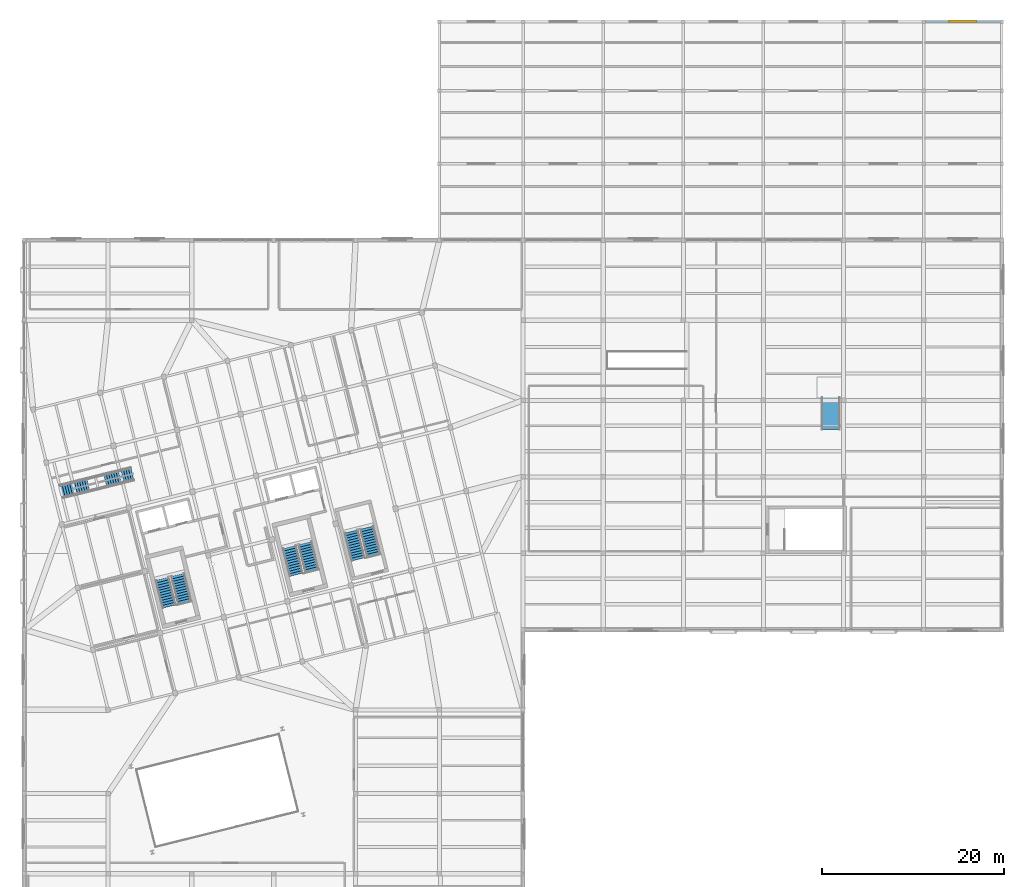
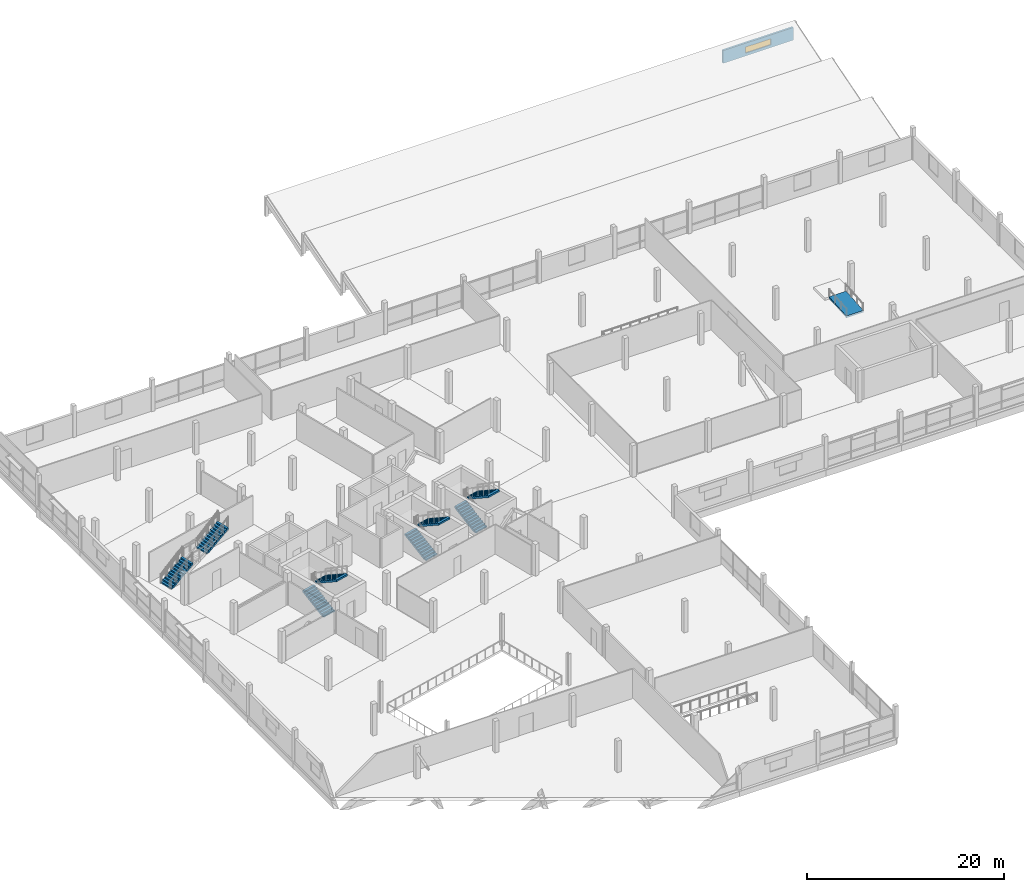
# One storey, part 56 of 62: 8 stair flights, 1 ramp flight, 1 wall, 1 window, 1 opening, 5 elements without a shape of their own.
"""IFC4 building model written with IfcOpenShell, lengths in metres."""

from ifc_helpers import new_model, si_unit, direction, frame, frame_2d, origin, place, context, subcontext, project, spatial, polyline, rectangle, outline, extrude, material, layer, layer_set, type_object, element, fill, aggregate, save


model = new_model("IFC4")

# Units and contexts
model_context = context("Model", 3, precision=1e-05, world=origin(), true_north=direction((0.0, 1.0)))
body_context = subcontext(model_context, "Body", "Model", "MODEL_VIEW")
ifc_project = project(units=[si_unit("LENGTHUNIT", "METRE"), si_unit("AREAUNIT", "SQUARE_METRE"), si_unit("VOLUMEUNIT", "CUBIC_METRE"), si_unit("PLANEANGLEUNIT", "RADIAN"), si_unit("MASSUNIT", "GRAM", prefix="KILO")], contexts=[model_context])

# Site, building, storey
site_placement = place(None, origin())
site = spatial("IfcSite", under=ifc_project, at=site_placement, CompositionType="ELEMENT")
building_placement = place(site_placement, origin())
building = spatial("IfcBuilding", under=site, at=building_placement, Name="Meriwether Solvik Hall", CompositionType="ELEMENT")
storey_placement = place(building_placement, frame((0.0, 0.0, 14.39990234375)))
storey = spatial("IfcBuildingStorey", under=building, at=storey_placement, Name="L03", CompositionType="ELEMENT", Elevation=14.39990234375)

# Wall, opening, window
ifc_material_1 = material(Name="Cross-Laminated Timber and Polyisocyanurate Insulation", Category="wood")
ifc_layer_1 = layer(ifc_material_1, 0.22998046875)
ifc_layer_set_1 = layer_set([ifc_layer_1], Name="Cross-Laminated Timber and Polyisocyanurate Insulation")
wall_type = type_object("IfcWallType", Name="WALL-MON-230", PredefinedType="SOLIDWALL", material=ifc_layer_set_1)
wall_placement = place(storey_placement, frame((166.610107421875, 116.800048828125, 0.175048828125), z_axis=(0.0, 0.0, 1.0), x_axis=(-1.0, 0.0, 0.0)))
wall = element("IfcWall", 1, at=wall_placement, inside=storey, type_object=wall_type, Name="Sawtooth Monitor Clerestory Wall w2_saw_3_b7", PredefinedType="SOLIDWALL", context=body_context, shape_type="SweptSolid", body=[
    extrude(rectangle(XDim=8.22021484375, YDim=0.22998046875, at=frame_2d((4.110107421875, 0.0))), origin(), (0.0, 0.0, 1.0), 1.574462890625),
])
opening_placement = place(wall_placement, frame((2.610107421875, 0.0, 0.35009765625)))
opening = element("IfcOpeningElement", 2, at=opening_placement, cuts=wall, Name="Opening SK-164", PredefinedType="OPENING", context=body_context, shape_type="SweptSolid", body=[
    extrude(rectangle(XDim=3.0, YDim=0.75, at=frame_2d((1.5, 0.375))), frame((0.0, 0.126953125, 0.0), z_axis=(0.0, -1.0, 0.0), x_axis=(1.0, 0.0, 0.0)), (0.0, 0.0, 1.0), 0.25390625),
])
ifc_material_2 = material(Name="Thermally Broken Anodised Aluminium and Triple Low-E Glass", Category="aluminium")
window_type = type_object("IfcWindowType", Name="SKY-MON-300X075", PartitioningType="SINGLE_PANEL", PredefinedType="SKYLIGHT", material=ifc_material_2)
window_placement = place(opening_placement, origin())
window = element("IfcWindow", 3, at=window_placement, inside=storey, type_object=window_type, Name="Sawtooth Northlight Skylight w2_saw_3_b7-1", OverallHeight=0.75, OverallWidth=3.0, PartitioningType="SINGLE_PANEL", PredefinedType="SKYLIGHT", context=body_context, shape_type="SweptSolid", body=[
    extrude(rectangle(XDim=3.0, YDim=0.75, at=frame_2d((1.5, 0.375))), frame((0.0, 0.030029296875, 0.0), z_axis=(0.0, -1.0, 0.0), x_axis=(1.0, 0.0, 0.0)), (0.0, 0.0, 1.0), 0.06005859375),
])
fill(opening, window)

# Stair, stair flights
ifc_material_3 = material(Name="Glulam Douglas-Fir 24F-V8 GL28h", Category="wood")
stair_type_1 = type_object("IfcStairType", Name="STR-OPEN-EDU", PredefinedType="TWO_STRAIGHT_RUN_STAIR", material=ifc_material_3)
stair_1_placement = place(storey_placement, origin())
stair_1 = element("IfcStair", 4, at=stair_1_placement, inside=storey, type_object=stair_type_1, Name="Architectural Stair ST-ED1 (L03-L04)", PredefinedType="TWO_STRAIGHT_RUN_STAIR")
ifc_material_4 = material(Name="Glulam Douglas-Fir 24F-V8 GL28h", Category="wood")
stair_flight_type_1 = type_object("IfcStairFlightType", Name="SFL-GL-155", PredefinedType="STRAIGHT", material=ifc_material_4)
stair_flight_1_placement = place(storey_placement, frame((63.44921875, 65.165771484375, 0.0), z_axis=(0.0, 0.0, 1.0), x_axis=(0.970295726276, 0.2419218956, 0.0)))
stair_flight_1 = element("IfcStairFlight", 5, at=stair_flight_1_placement, type_object=stair_flight_type_1, Name="Stair ST-ED1 Lower Flight", NumberOfRisers=12, NumberOfTreads=11, PredefinedType="STRAIGHT", RiserHeight=0.1625, TreadLength=0.28, context=body_context, shape_type="SweptSolid", body=[
    extrude(outline(polyline([(0.0, 0.0), (0.0, 0.16259765625), (0.280029296875, 0.16259765625), (0.280029296875, 0.324951171875), (0.56005859375, 0.324951171875), (0.56005859375, 0.487548828125), (0.840087890625, 0.487548828125), (0.840087890625, 0.64990234375), (1.1201171875, 0.64990234375), (1.1201171875, 0.8125), (1.39990234375, 0.8125), (1.39990234375, 0.97509765625), (1.679931640625, 0.97509765625), (1.679931640625, 1.137451171875), (1.9599609375, 1.137451171875), (1.9599609375, 1.300048828125), (2.239990234375, 1.300048828125), (2.239990234375, 1.46240234375), (2.52001953125, 1.46240234375), (2.52001953125, 1.625), (2.800048828125, 1.625), (2.800048828125, 1.78759765625), (3.080078125, 1.78759765625), (3.080078125, 1.949951171875), (3.080078125, 1.579345703125), (0.3583984375, 0.0), (0.0, 0.0)])), frame((0.0, 0.77490234375, 0.0), z_axis=(0.0, -1.0, 0.0), x_axis=(1.0, 0.0, 0.0)), (0.0, 0.0, 1.0), 1.550048828125),
])
stair_flight_2_placement = place(storey_placement, frame((68.28125, 66.37060546875, 1.9501953125), z_axis=(0.0, 0.0, 1.0), x_axis=(0.970295726276, 0.2419218956, 0.0)))
stair_flight_2 = element("IfcStairFlight", 6, at=stair_flight_2_placement, type_object=stair_flight_type_1, Name="Stair ST-ED1 Upper Flight", NumberOfRisers=12, NumberOfTreads=11, PredefinedType="STRAIGHT", RiserHeight=0.1625, TreadLength=0.28, context=body_context, shape_type="SweptSolid", body=[
    extrude(outline(polyline([(0.0, 0.0), (0.0, 0.16259765625), (0.280029296875, 0.16259765625), (0.280029296875, 0.324951171875), (0.56005859375, 0.324951171875), (0.56005859375, 0.487548828125), (0.840087890625, 0.487548828125), (0.840087890625, 0.64990234375), (1.1201171875, 0.64990234375), (1.1201171875, 0.8125), (1.39990234375, 0.8125), (1.39990234375, 0.97509765625), (1.679931640625, 0.97509765625), (1.679931640625, 1.137451171875), (1.9599609375, 1.137451171875), (1.9599609375, 1.300048828125), (2.239990234375, 1.300048828125), (2.239990234375, 1.46240234375), (2.52001953125, 1.46240234375), (2.52001953125, 1.625), (2.800048828125, 1.625), (2.800048828125, 1.78759765625), (3.080078125, 1.78759765625), (3.080078125, 1.949951171875), (3.080078125, 1.579345703125), (0.3583984375, 0.0), (0.0, 0.0)])), frame((0.0, 0.77490234375, 0.0), z_axis=(0.0, -1.0, 0.0), x_axis=(1.0, 0.0, 0.0)), (0.0, 0.0, 1.0), 1.550048828125),
])
aggregate(stair_1, [stair_flight_1, stair_flight_2])

ifc_material_5 = material(Name="Concrete C40/50", Category="concrete")
stair_type_2 = type_object("IfcStairType", Name="STR-CORE-DOGLEG-A", PredefinedType="TWO_STRAIGHT_RUN_STAIR", material=ifc_material_5)
stair_2_placement = place(storey_placement, origin())
stair_2 = element("IfcStair", 7, at=stair_2_placement, inside=storey, type_object=stair_type_2, Name="Exit Stair ST-01 (L03)", PredefinedType="TWO_STRAIGHT_RUN_STAIR")
ifc_material_6 = material(Name="Concrete C40/50", Category="concrete")
stair_flight_type_2 = type_object("IfcStairFlightType", Name="SFL-RC-156", PredefinedType="STRAIGHT", material=ifc_material_6)
stair_flight_3_placement = place(storey_placement, frame((75.310791015625, 52.56103515625, 0.0), z_axis=(0.0, 0.0, 1.0), x_axis=(-0.2419218956, 0.970295726276, 0.0)))
stair_flight_3 = element("IfcStairFlight", 8, at=stair_flight_3_placement, type_object=stair_flight_type_2, Name="Stair ST-01 Lower Flight (L03)", NumberOfRisers=12, NumberOfTreads=11, PredefinedType="STRAIGHT", RiserHeight=0.1625, TreadLength=0.285, context=body_context, shape_type="SweptSolid", body=[
    extrude(outline(polyline([(0.0, 0.0), (0.0, 0.16259765625), (0.284912109375, 0.16259765625), (0.284912109375, 0.324951171875), (0.570068359375, 0.324951171875), (0.570068359375, 0.487548828125), (0.85498046875, 0.487548828125), (0.85498046875, 0.64990234375), (1.139892578125, 0.64990234375), (1.139892578125, 0.8125), (1.425048828125, 0.8125), (1.425048828125, 0.97509765625), (1.7099609375, 0.97509765625), (1.7099609375, 1.137451171875), (1.9951171875, 1.137451171875), (1.9951171875, 1.300048828125), (2.280029296875, 1.300048828125), (2.280029296875, 1.46240234375), (2.56494140625, 1.46240234375), (2.56494140625, 1.625), (2.85009765625, 1.625), (2.85009765625, 1.78759765625), (3.135009765625, 1.78759765625), (3.135009765625, 1.949951171875), (3.135009765625, 1.580322265625), (0.36328125, 0.0), (0.0, 0.0)])), frame((0.0, 0.780029296875, 0.0), z_axis=(0.0, -1.0, 0.0), x_axis=(1.0, 0.0, 0.0)), (0.0, 0.0, 1.0), 1.56005859375),
])
stair_flight_4_placement = place(storey_placement, frame((76.279541015625, 56.033447265625, 1.9501953125), z_axis=(0.0, 0.0, 1.0), x_axis=(0.2419218956, -0.970295726276, 0.0)))
stair_flight_4 = element("IfcStairFlight", 9, at=stair_flight_4_placement, type_object=stair_flight_type_2, Name="Stair ST-01 Upper Flight (L03)", NumberOfRisers=12, NumberOfTreads=11, PredefinedType="STRAIGHT", RiserHeight=0.1625, TreadLength=0.285, context=body_context, shape_type="SweptSolid", body=[
    extrude(outline(polyline([(0.0, 0.0), (0.0, 0.16259765625), (0.284912109375, 0.16259765625), (0.284912109375, 0.324951171875), (0.570068359375, 0.324951171875), (0.570068359375, 0.487548828125), (0.85498046875, 0.487548828125), (0.85498046875, 0.64990234375), (1.139892578125, 0.64990234375), (1.139892578125, 0.8125), (1.425048828125, 0.8125), (1.425048828125, 0.97509765625), (1.7099609375, 0.97509765625), (1.7099609375, 1.137451171875), (1.9951171875, 1.137451171875), (1.9951171875, 1.300048828125), (2.280029296875, 1.300048828125), (2.280029296875, 1.46240234375), (2.56494140625, 1.46240234375), (2.56494140625, 1.625), (2.85009765625, 1.625), (2.85009765625, 1.78759765625), (3.135009765625, 1.78759765625), (3.135009765625, 1.949951171875), (3.135009765625, 1.580322265625), (0.36328125, 0.0), (0.0, 0.0)])), frame((0.0, 0.780029296875, 0.0), z_axis=(0.0, -1.0, 0.0), x_axis=(1.0, 0.0, 0.0)), (0.0, 0.0, 1.0), 1.56005859375),
])
aggregate(stair_2, [stair_flight_3, stair_flight_4])

stair_3_placement = place(storey_placement, origin())
stair_3 = element("IfcStair", 10, at=stair_3_placement, inside=storey, type_object=stair_type_2, Name="Exit Stair ST-02 (L03)", PredefinedType="TWO_STRAIGHT_RUN_STAIR")
stair_flight_5_placement = place(storey_placement, frame((89.283203125, 56.044677734375, 0.0), z_axis=(0.0, 0.0, 1.0), x_axis=(-0.2419218956, 0.970295726276, 0.0)))
stair_flight_5 = element("IfcStairFlight", 11, at=stair_flight_5_placement, type_object=stair_flight_type_2, Name="Stair ST-02 Lower Flight (L03)", NumberOfRisers=12, NumberOfTreads=11, PredefinedType="STRAIGHT", RiserHeight=0.1625, TreadLength=0.285, context=body_context, shape_type="SweptSolid", body=[
    extrude(outline(polyline([(0.0, 0.0), (0.0, 0.16259765625), (0.284912109375, 0.16259765625), (0.284912109375, 0.324951171875), (0.570068359375, 0.324951171875), (0.570068359375, 0.487548828125), (0.85498046875, 0.487548828125), (0.85498046875, 0.64990234375), (1.139892578125, 0.64990234375), (1.139892578125, 0.8125), (1.425048828125, 0.8125), (1.425048828125, 0.97509765625), (1.7099609375, 0.97509765625), (1.7099609375, 1.137451171875), (1.9951171875, 1.137451171875), (1.9951171875, 1.300048828125), (2.280029296875, 1.300048828125), (2.280029296875, 1.46240234375), (2.56494140625, 1.46240234375), (2.56494140625, 1.625), (2.85009765625, 1.625), (2.85009765625, 1.78759765625), (3.135009765625, 1.78759765625), (3.135009765625, 1.949951171875), (3.135009765625, 1.580322265625), (0.36328125, 0.0), (0.0, 0.0)])), frame((0.0, 0.780029296875, 0.0), z_axis=(0.0, -1.0, 0.0), x_axis=(1.0, 0.0, 0.0)), (0.0, 0.0, 1.0), 1.56005859375),
])
stair_flight_6_placement = place(storey_placement, frame((90.251953125, 59.51708984375, 1.9501953125), z_axis=(0.0, 0.0, 1.0), x_axis=(0.2419218956, -0.970295726276, 0.0)))
stair_flight_6 = element("IfcStairFlight", 12, at=stair_flight_6_placement, type_object=stair_flight_type_2, Name="Stair ST-02 Upper Flight (L03)", NumberOfRisers=12, NumberOfTreads=11, PredefinedType="STRAIGHT", RiserHeight=0.1625, TreadLength=0.285, context=body_context, shape_type="SweptSolid", body=[
    extrude(outline(polyline([(0.0, 0.0), (0.0, 0.16259765625), (0.284912109375, 0.16259765625), (0.284912109375, 0.324951171875), (0.570068359375, 0.324951171875), (0.570068359375, 0.487548828125), (0.85498046875, 0.487548828125), (0.85498046875, 0.64990234375), (1.139892578125, 0.64990234375), (1.139892578125, 0.8125), (1.425048828125, 0.8125), (1.425048828125, 0.97509765625), (1.7099609375, 0.97509765625), (1.7099609375, 1.137451171875), (1.9951171875, 1.137451171875), (1.9951171875, 1.300048828125), (2.280029296875, 1.300048828125), (2.280029296875, 1.46240234375), (2.56494140625, 1.46240234375), (2.56494140625, 1.625), (2.85009765625, 1.625), (2.85009765625, 1.78759765625), (3.135009765625, 1.78759765625), (3.135009765625, 1.949951171875), (3.135009765625, 1.580322265625), (0.36328125, 0.0), (0.0, 0.0)])), frame((0.0, 0.780029296875, 0.0), z_axis=(0.0, -1.0, 0.0), x_axis=(1.0, 0.0, 0.0)), (0.0, 0.0, 1.0), 1.56005859375),
])
aggregate(stair_3, [stair_flight_5, stair_flight_6])

stair_4_placement = place(storey_placement, origin())
stair_4 = element("IfcStair", 13, at=stair_4_placement, inside=storey, type_object=stair_type_2, Name="Exit Stair ST-03 (L03)", PredefinedType="TWO_STRAIGHT_RUN_STAIR")
stair_flight_7_placement = place(storey_placement, frame((96.0751953125, 57.738037109375, 0.0), z_axis=(0.0, 0.0, 1.0), x_axis=(-0.2419218956, 0.970295726276, 0.0)))
stair_flight_7 = element("IfcStairFlight", 14, at=stair_flight_7_placement, type_object=stair_flight_type_2, Name="Stair ST-03 Lower Flight (L03)", NumberOfRisers=12, NumberOfTreads=11, PredefinedType="STRAIGHT", RiserHeight=0.1625, TreadLength=0.285, context=body_context, shape_type="SweptSolid", body=[
    extrude(outline(polyline([(0.0, 0.0), (0.0, 0.16259765625), (0.284912109375, 0.16259765625), (0.284912109375, 0.324951171875), (0.570068359375, 0.324951171875), (0.570068359375, 0.487548828125), (0.85498046875, 0.487548828125), (0.85498046875, 0.64990234375), (1.139892578125, 0.64990234375), (1.139892578125, 0.8125), (1.425048828125, 0.8125), (1.425048828125, 0.97509765625), (1.7099609375, 0.97509765625), (1.7099609375, 1.137451171875), (1.9951171875, 1.137451171875), (1.9951171875, 1.300048828125), (2.280029296875, 1.300048828125), (2.280029296875, 1.46240234375), (2.56494140625, 1.46240234375), (2.56494140625, 1.625), (2.85009765625, 1.625), (2.85009765625, 1.78759765625), (3.135009765625, 1.78759765625), (3.135009765625, 1.949951171875), (3.135009765625, 1.580322265625), (0.36328125, 0.0), (0.0, 0.0)])), frame((0.0, 0.780029296875, 0.0), z_axis=(0.0, -1.0, 0.0), x_axis=(1.0, 0.0, 0.0)), (0.0, 0.0, 1.0), 1.56005859375),
])
stair_flight_8_placement = place(storey_placement, frame((97.0439453125, 61.210693359375, 1.9501953125), z_axis=(0.0, 0.0, 1.0), x_axis=(0.2419218956, -0.970295726276, 0.0)))
stair_flight_8 = element("IfcStairFlight", 15, at=stair_flight_8_placement, type_object=stair_flight_type_2, Name="Stair ST-03 Upper Flight (L03)", NumberOfRisers=12, NumberOfTreads=11, PredefinedType="STRAIGHT", RiserHeight=0.1625, TreadLength=0.285, context=body_context, shape_type="SweptSolid", body=[
    extrude(outline(polyline([(0.0, 0.0), (0.0, 0.16259765625), (0.284912109375, 0.16259765625), (0.284912109375, 0.324951171875), (0.570068359375, 0.324951171875), (0.570068359375, 0.487548828125), (0.85498046875, 0.487548828125), (0.85498046875, 0.64990234375), (1.139892578125, 0.64990234375), (1.139892578125, 0.8125), (1.425048828125, 0.8125), (1.425048828125, 0.97509765625), (1.7099609375, 0.97509765625), (1.7099609375, 1.137451171875), (1.9951171875, 1.137451171875), (1.9951171875, 1.300048828125), (2.280029296875, 1.300048828125), (2.280029296875, 1.46240234375), (2.56494140625, 1.46240234375), (2.56494140625, 1.625), (2.85009765625, 1.625), (2.85009765625, 1.78759765625), (3.135009765625, 1.78759765625), (3.135009765625, 1.949951171875), (3.135009765625, 1.580322265625), (0.36328125, 0.0), (0.0, 0.0)])), frame((0.0, 0.780029296875, 0.0), z_axis=(0.0, -1.0, 0.0), x_axis=(1.0, 0.0, 0.0)), (0.0, 0.0, 1.0), 1.56005859375),
])
aggregate(stair_4, [stair_flight_7, stair_flight_8])

# Ramp, ramp flight
ifc_material_7 = material(Name="Concrete C40/50", Category="concrete")
ifc_layer_2 = layer(ifc_material_7, 0.219970703125)
ifc_layer_set_2 = layer_set([ifc_layer_2], Name="Concrete C40/50")
ramp_type = type_object("IfcRampType", Name="RMP-ACC-200", PredefinedType="STRAIGHT_RUN_RAMP", material=ifc_layer_set_2)
ramp_placement = place(storey_placement, origin())
ramp = element("IfcRamp", 16, at=ramp_placement, inside=storey, type_object=ramp_type, Name="Accessible Dais Ramp AR5 (L03)", PredefinedType="STRAIGHT_RUN_RAMP")
ifc_material_8 = material(Name="Concrete C40/50", Category="concrete")
ifc_layer_3 = layer(ifc_material_8, 0.219970703125)
ifc_layer_set_3 = layer_set([ifc_layer_3], Name="Concrete C40/50")
ramp_flight_type = type_object("IfcRampFlightType", Name="RFL-ACC-200", PredefinedType="STRAIGHT", material=ifc_layer_set_3)
ramp_flight_placement = place(storey_placement, frame((148.0, 72.0, 0.0), z_axis=(0.0, 0.0, 1.0), x_axis=(0.0, 1.0, 0.0)))
ramp_flight = element("IfcRampFlight", 17, at=ramp_flight_placement, type_object=ramp_flight_type, Name="Accessible Dais Ramp Flight AR5", PredefinedType="STRAIGHT", context=body_context, shape_type="SweptSolid", body=[
    extrude(outline(polyline([(0.0, 0.0), (3.5, 0.280029296875), (3.5, 0.06005859375), (0.0, -0.219970703125), (0.0, 0.0)])), frame((0.0, 1.0, 0.0), z_axis=(0.0, -1.0, 0.0), x_axis=(1.0, 0.0, 0.0)), (0.0, 0.0, 1.0), 2.0),
])
aggregate(ramp, [ramp_flight])

save(model, "model.ifc")
